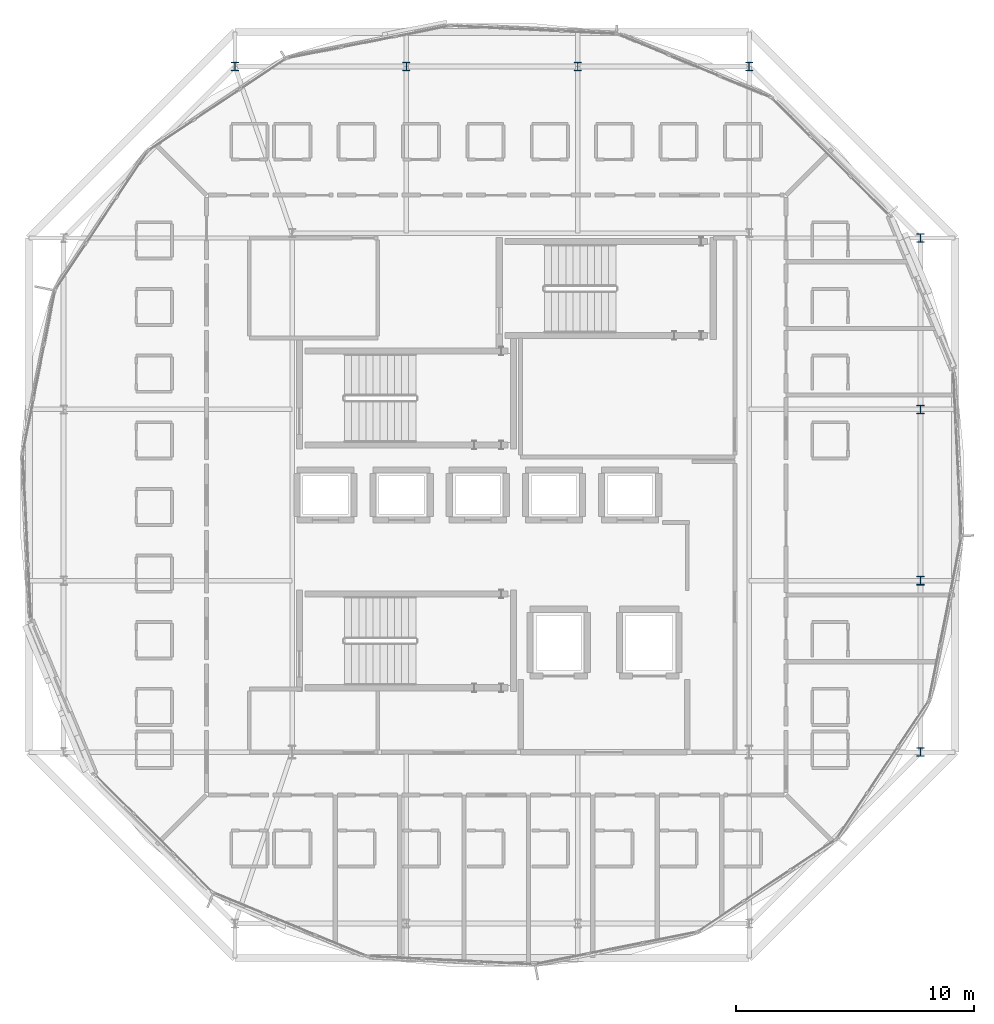
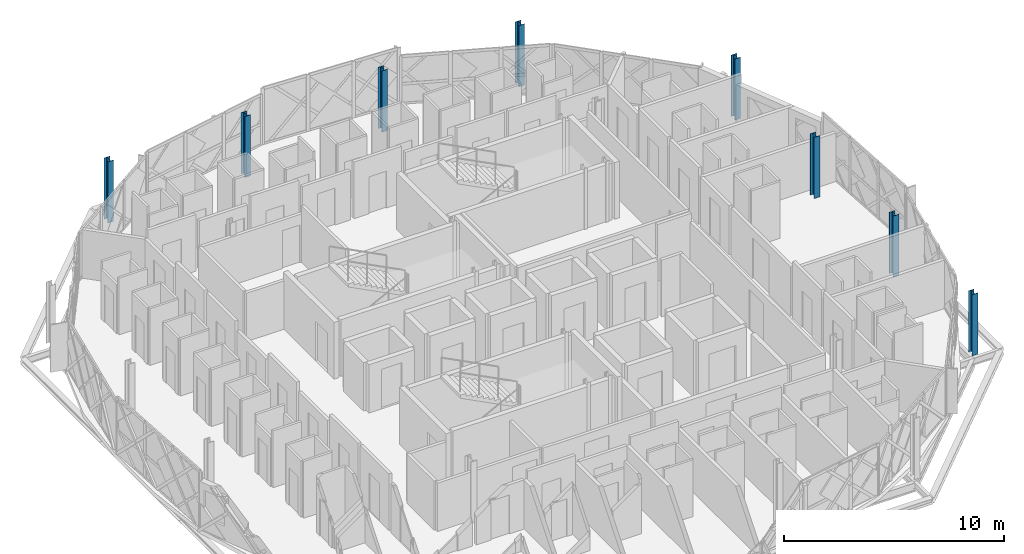
# One storey, part 4 of 24: 8 columns.
"""IFC4 building model written with IfcOpenShell, lengths in metres."""

from ifc_helpers import new_model, si_unit, direction, frame, origin, origin_2d, place, context, subcontext, project, spatial, i_section, extrude, material, material_profile, profile_set, type_object, element, save


model = new_model("IFC4")

# Units and contexts
model_context = context("Model", 3, precision=1e-05, world=origin(), true_north=direction((0.0, 1.0)))
body_context = subcontext(model_context, "Body", "Model", "MODEL_VIEW")
ifc_project = project(units=[si_unit("LENGTHUNIT", "METRE"), si_unit("AREAUNIT", "SQUARE_METRE"), si_unit("VOLUMEUNIT", "CUBIC_METRE"), si_unit("PLANEANGLEUNIT", "RADIAN"), si_unit("MASSUNIT", "GRAM", prefix="KILO")], contexts=[model_context])

# Site, building, storey
site_placement = place(None, origin())
site = spatial("IfcSite", under=ifc_project, at=site_placement, CompositionType="ELEMENT")
building_placement = place(site_placement, origin())
building = spatial("IfcBuilding", under=site, at=building_placement, Name="Zevrakil Square Congress Hotel", CompositionType="ELEMENT")
storey_placement = place(building_placement, frame((0.0, 0.0, 38.5)))
storey = spatial("IfcBuildingStorey", under=building, at=storey_placement, Name="L11", CompositionType="ELEMENT", Elevation=38.5)

# Columns
ifc_material = material(Name="Steel S355", Category="steel")
ifc_material_profile = material_profile(ifc_material, i_section(OverallWidth=0.300048828125, OverallDepth=0.360107421875, WebThickness=0.012451171875, FlangeThickness=0.0224609375, FilletRadius=0.027099609375, at=origin_2d()), Name="HEB 360")
ifc_profile_set = profile_set([ifc_material_profile], Name="Steel S355")
column_type = type_object("IfcColumnType", Name="COL-HEB360", PredefinedType="COLUMN", material=ifc_profile_set)
for number, where, z_axis, x_axis, name in (
    (1, (163.199951171875, 16.800048828125, 0.0), (0.0, 0.0, 1.0), (1.0, 0.0, 0.0), "L11 drum column DC05"),
    (2, (163.199951171875, 24.0, 0.0), (0.0, 0.0, 1.0), (1.0, 0.0, 0.0), "L11 drum column DC06"),
    (3, (163.199951171875, 31.199951171875, 0.0), (0.0, 0.0, 1.0), (1.0, 0.0, 0.0), "L11 drum column DC07"),
    (4, (163.199951171875, 38.39990234375, 0.0), (0.0, 0.0, 1.0), (1.0, 0.0, 0.0), "L11 drum column DC08"),
    (5, (156.0, 45.60009765625, 0.0), (0.0, 0.0, 1.0), (1.0, 0.0, 0.0), "L11 drum column DC09"),
    (6, (148.800048828125, 45.60009765625, 0.0), (0.0, 0.0, 1.0), (1.0, 0.0, 0.0), "L11 drum column DC10"),
    (7, (141.60009765625, 45.60009765625, 0.0), (0.0, 0.0, 1.0), (1.0, 0.0, 0.0), "L11 drum column DC11"),
    (8, (134.39990234375, 45.60009765625, 0.0), (0.0, 0.0, 1.0), (1.0, 0.0, 0.0), "L11 drum column DC12"),
):
    element("IfcColumn", number, at=place(storey_placement, frame(where, z_axis=z_axis, x_axis=x_axis)), inside=storey, type_object=column_type, Name=name, PredefinedType="COLUMN", context=body_context, shape_type="SweptSolid", body=[
        extrude(i_section(OverallWidth=0.300048828125, OverallDepth=0.360107421875, WebThickness=0.012451171875, FlangeThickness=0.0224609375, FilletRadius=0.027099609375, at=origin_2d()), origin(), (0.0, 0.0, 1.0), 3.39990234375),
    ])

save(model, "model.ifc")
